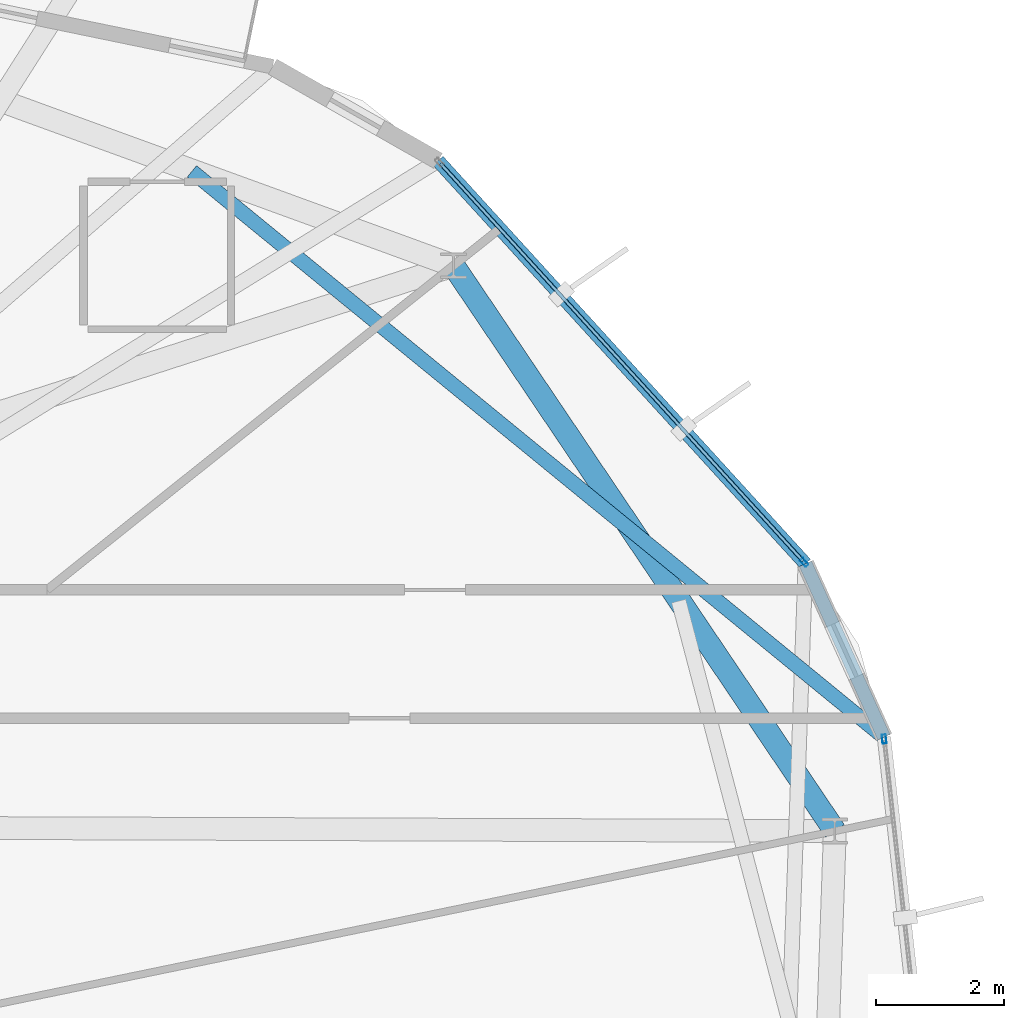
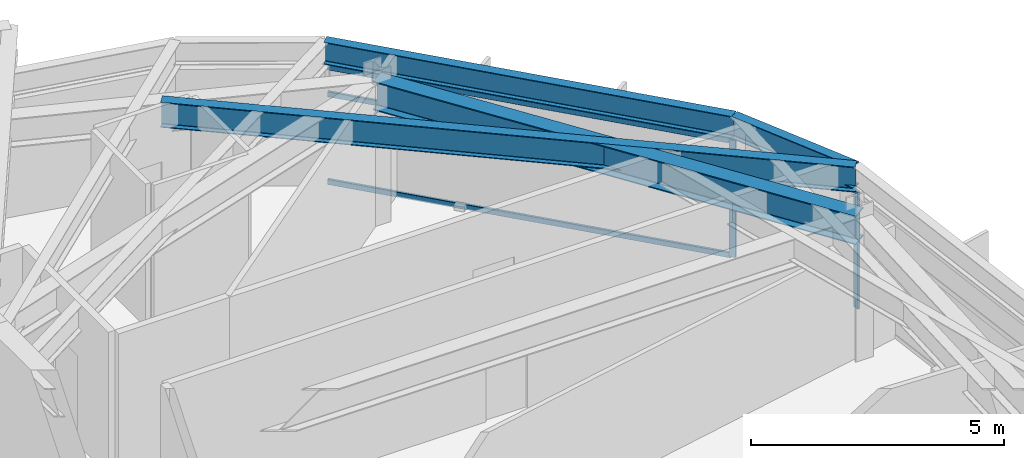
# One storey, part 12 of 23: 5 members, 4 beams, 2 elements without a shape of their own.
"""IFC4 building model written with IfcOpenShell, lengths in metres."""

from ifc_helpers import new_model, si_unit, direction, frame, origin, origin_2d, place, context, subcontext, project, spatial, hollow_rectangle, i_section, extrude, material, layer, layer_set, material_profile, profile_set, type_object, element, aggregate, save


model = new_model("IFC4")

# Units and contexts
model_context = context("Model", 3, precision=1e-05, world=origin(), true_north=direction((0.0, 1.0)))
body_context = subcontext(model_context, "Body", "Model", "MODEL_VIEW")
ifc_project = project(units=[si_unit("LENGTHUNIT", "METRE"), si_unit("AREAUNIT", "SQUARE_METRE"), si_unit("VOLUMEUNIT", "CUBIC_METRE"), si_unit("PLANEANGLEUNIT", "RADIAN"), si_unit("MASSUNIT", "GRAM", prefix="KILO")], contexts=[model_context])

# Site, building, storey
site_placement = place(None, origin())
site = spatial("IfcSite", under=ifc_project, at=site_placement, CompositionType="ELEMENT")
building_placement = place(site_placement, origin())
building = spatial("IfcBuilding", under=site, at=building_placement, Name="Soratama Intermodal Tower", CompositionType="ELEMENT")
storey_placement = place(building_placement, frame((0.0, 0.0, 257.5)))
storey = spatial("IfcBuildingStorey", under=building, at=storey_placement, Name="L65", CompositionType="ELEMENT", Elevation=257.5)

# Beams
ifc_material_1 = material(Name="Structural steel ASTM A992 Grade 50", Category="steel")
ifc_material_profile_1 = material_profile(ifc_material_1, i_section(OverallWidth=0.35498046875, OverallDepth=0.695068359375, WebThickness=0.015380859375, FlangeThickness=0.02490234375, FilletRadius=0.01611328125, at=origin_2d()), Name="W27X146")
ifc_profile_set_1 = profile_set([ifc_material_profile_1], Name="Structural steel ASTM A992 Grade 50")
beam_type_1 = type_object("IfcBeamType", Name="BM-RING-W27X146", PredefinedType="BEAM", material=ifc_profile_set_1)
beam_1_placement = place(storey_placement, frame((61.533935546875, 29.740966796875, 3.1025390625), z_axis=(-0.559218025165, 0.829020627204, 0.0), x_axis=(-0.829020627204, -0.559218025165, 0.0)))
element("IfcBeam", 1, at=beam_1_placement, inside=storey, type_object=beam_type_1, Name="BM-L65-RING-01", PredefinedType="BEAM", context=body_context, shape_type="SweptSolid", body=[
    extrude(i_section(OverallWidth=0.35498046875, OverallDepth=0.695068359375, WebThickness=0.015380859375, FlangeThickness=0.02490234375, FilletRadius=0.01611328125, at=origin_2d()), origin(), (0.0, 0.0, 1.0), 10.630615234375),
])
ifc_material_2 = material(Name="Structural steel ASTM A992 Grade 50", Category="steel")
ifc_material_profile_2 = material_profile(ifc_material_2, i_section(OverallWidth=0.2099609375, OverallDepth=0.537109375, WebThickness=0.010986328125, FlangeThickness=0.017333984375, FilletRadius=0.012939453125, at=origin_2d()), Name="W21X68")
ifc_profile_set_2 = profile_set([ifc_material_profile_2], Name="Structural steel ASTM A992 Grade 50")
beam_type_2 = type_object("IfcBeamType", Name="BM-SPN-W21X68", PredefinedType="SPANDREL", material=ifc_profile_set_2)
beam_2_placement = place(storey_placement, frame((62.299072265625, 31.2041015625, 3.181396484375), z_axis=(-0.412556508034, 0.910932010459, 0.0), x_axis=(-0.910932010459, -0.412556508034, 0.0)))
element("IfcBeam", 2, at=beam_2_placement, inside=storey, type_object=beam_type_2, Name="BS-L65-CRN09", PredefinedType="SPANDREL", context=body_context, shape_type="SweptSolid", body=[
    extrude(i_section(OverallWidth=0.2099609375, OverallDepth=0.537109375, WebThickness=0.010986328125, FlangeThickness=0.017333984375, FilletRadius=0.012939453125, at=origin_2d()), origin(), (0.0, 0.0, 1.0), 2.967041015625),
])
beam_3_placement = place(storey_placement, frame((61.074951171875, 33.906982421875, 3.181396484375), z_axis=(-0.67377000285, 0.738941122999, 0.0), x_axis=(-0.738941122999, -0.67377000285, 0.0)))
element("IfcBeam", 3, at=beam_3_placement, inside=storey, type_object=beam_type_2, Name="BS-L65-F10", PredefinedType="SPANDREL", context=body_context, shape_type="SweptSolid", body=[
    extrude(i_section(OverallWidth=0.2099609375, OverallDepth=0.537109375, WebThickness=0.010986328125, FlangeThickness=0.017333984375, FilletRadius=0.012939453125, at=origin_2d()), origin(), (0.0, 0.0, 1.0), 8.5),
])
ifc_material_3 = material(Name="Structural steel ASTM A992 Grade 50", Category="steel")
ifc_material_profile_3 = material_profile(ifc_material_3, i_section(OverallWidth=0.22900390625, OverallDepth=0.612060546875, WebThickness=0.011962890625, FlangeThickness=0.01953125, FilletRadius=0.012939453125, at=origin_2d()), Name="W24X84")
ifc_profile_set_3 = profile_set([ifc_material_profile_3], Name="Structural steel ASTM A992 Grade 50")
beam_type_3 = type_object("IfcBeamType", Name="BM-TIE-W24X84", PredefinedType="BEAM", material=ifc_profile_set_3)
beam_4_placement = place(storey_placement, frame((51.511962890625, 40.02392578125, 3.14404296875), z_axis=(0.774168034246, -0.632980137723, 0.0), x_axis=(0.632980137723, 0.774168034246, 0.0)))
element("IfcBeam", 4, at=beam_4_placement, inside=storey, type_object=beam_type_3, Name="BM-L65-TIE1-09", PredefinedType="BEAM", context=body_context, shape_type="SweptSolid", body=[
    extrude(i_section(OverallWidth=0.22900390625, OverallDepth=0.612060546875, WebThickness=0.011962890625, FlangeThickness=0.01953125, FilletRadius=0.012939453125, at=origin_2d()), origin(), (0.0, 0.0, 1.0), 13.933837890625),
])

# Curtain wall, member
ifc_material_4 = material(Name="Double-glazed aluminium curtain wall", Category="aluminium")
ifc_layer = layer(ifc_material_4, 0.159912109375)
ifc_layer_set = layer_set([ifc_layer], Name="Double-glazed aluminium curtain wall")
curtain_wall_type = type_object("IfcCurtainWallType", Name="CW-SYS-5", PredefinedType="NOTDEFINED", material=ifc_layer_set)
curtain_wall_1_placement = place(storey_placement, origin())
curtain_wall_1 = element("IfcCurtainWall", 5, at=curtain_wall_1_placement, inside=storey, type_object=curtain_wall_type, Name="L65 Faceted Curtain Wall F09", PredefinedType="NOTDEFINED")
ifc_material_5 = material(Name="Anodised aluminium AA 6063-T6", Category="aluminium")
ifc_material_profile_4 = material_profile(ifc_material_5, hollow_rectangle(XDim=0.06494140625, YDim=0.139892578125, WallThickness=0.0048828125, InnerFilletRadius=0.0048828125, OuterFilletRadius=0.010009765625, at=origin_2d()), Name="CWM140X65X5")
ifc_profile_set_4 = profile_set([ifc_material_profile_4], Name="Anodised aluminium AA 6063-T6")
member_type_1 = type_object("IfcMemberType", Name="MT-CWM-5", PredefinedType="MULLION", material=ifc_profile_set_4)
member_1_placement = place(storey_placement, frame((62.30224609375, 31.174560546875, 0.0), z_axis=(0.0, 0.0, 1.0), x_axis=(-0.993845079163, -0.110778872636, 0.0)))
member_1 = element("IfcMember", 6, at=member_1_placement, type_object=member_type_1, Name="CW-5 mullion 2", PredefinedType="MULLION", context=body_context, shape_type="SweptSolid", body=[
    extrude(hollow_rectangle(XDim=0.06494140625, YDim=0.139892578125, WallThickness=0.0048828125, InnerFilletRadius=0.0048828125, OuterFilletRadius=0.010009765625, at=origin_2d()), origin(), (0.0, 0.0, 1.0), 2.8291015625),
])
aggregate(curtain_wall_1, [member_1])

# Curtain wall, members
curtain_wall_2_placement = place(storey_placement, origin())
curtain_wall_2 = element("IfcCurtainWall", 7, at=curtain_wall_2_placement, inside=storey, type_object=curtain_wall_type, Name="L65 Faceted Curtain Wall F10", PredefinedType="NOTDEFINED")
member_2_placement = place(storey_placement, frame((61.05517578125, 33.928955078125, 0.0), z_axis=(0.0, 0.0, 1.0), x_axis=(-0.73893310273, -0.673778798783, 0.0)))
member_2 = element("IfcMember", 8, at=member_2_placement, type_object=member_type_1, Name="CW-5 mullion 1", PredefinedType="MULLION", context=body_context, shape_type="SweptSolid", body=[
    extrude(hollow_rectangle(XDim=0.06494140625, YDim=0.139892578125, WallThickness=0.0048828125, InnerFilletRadius=0.0048828125, OuterFilletRadius=0.010009765625, at=origin_2d()), origin(), (0.0, 0.0, 1.0), 2.8291015625),
])
ifc_material_6 = material(Name="Anodised aluminium AA 6063-T6", Category="aluminium")
ifc_material_profile_5 = material_profile(ifc_material_6, hollow_rectangle(XDim=0.06005859375, YDim=0.1298828125, WallThickness=0.0048828125, InnerFilletRadius=0.0048828125, OuterFilletRadius=0.010009765625, at=origin_2d()), Name="CWT130X60X5")
ifc_profile_set_5 = profile_set([ifc_material_profile_5], Name="Anodised aluminium AA 6063-T6")
member_type_2 = type_object("IfcMemberType", Name="TT-CWT-2", PredefinedType="USERDEFINED", material=ifc_profile_set_5)
member_3_placement = place(storey_placement, frame((61.034912109375, 33.951171875, 0.030029296875), z_axis=(-0.67376836296, 0.738942618255, 0.0), x_axis=(-0.738942618255, -0.67376836296, 0.0)))
member_3 = element("IfcMember", 9, at=member_3_placement, type_object=member_type_2, Name="CW-5 transom 1.1", ObjectType="TRANSOM", PredefinedType="USERDEFINED", context=body_context, shape_type="SweptSolid", body=[
    extrude(hollow_rectangle(XDim=0.06005859375, YDim=0.1298828125, WallThickness=0.0048828125, InnerFilletRadius=0.0048828125, OuterFilletRadius=0.010009765625, at=origin_2d()), origin(), (0.0, 0.0, 1.0), 8.379638671875),
])
member_4_placement = place(storey_placement, frame((61.034912109375, 33.951171875, 2.14990234375), z_axis=(-0.67376836296, 0.738942618255, 0.0), x_axis=(-0.738942618255, -0.67376836296, 0.0)))
member_4 = element("IfcMember", 10, at=member_4_placement, type_object=member_type_2, Name="CW-5 transom 1.2", ObjectType="TRANSOM", PredefinedType="USERDEFINED", context=body_context, shape_type="SweptSolid", body=[
    extrude(hollow_rectangle(XDim=0.06005859375, YDim=0.1298828125, WallThickness=0.0048828125, InnerFilletRadius=0.0048828125, OuterFilletRadius=0.010009765625, at=origin_2d()), origin(), (0.0, 0.0, 1.0), 8.379638671875),
])
member_5_placement = place(storey_placement, frame((61.034912109375, 33.951171875, 2.799072265625), z_axis=(-0.67376836296, 0.738942618255, 0.0), x_axis=(-0.738942618255, -0.67376836296, 0.0)))
member_5 = element("IfcMember", 11, at=member_5_placement, type_object=member_type_2, Name="CW-5 transom 1.3", ObjectType="TRANSOM", PredefinedType="USERDEFINED", context=body_context, shape_type="SweptSolid", body=[
    extrude(hollow_rectangle(XDim=0.06005859375, YDim=0.1298828125, WallThickness=0.0048828125, InnerFilletRadius=0.0048828125, OuterFilletRadius=0.010009765625, at=origin_2d()), origin(), (0.0, 0.0, 1.0), 8.379638671875),
])
aggregate(curtain_wall_2, [member_2, member_3, member_4, member_5])

save(model, "model.ifc")
